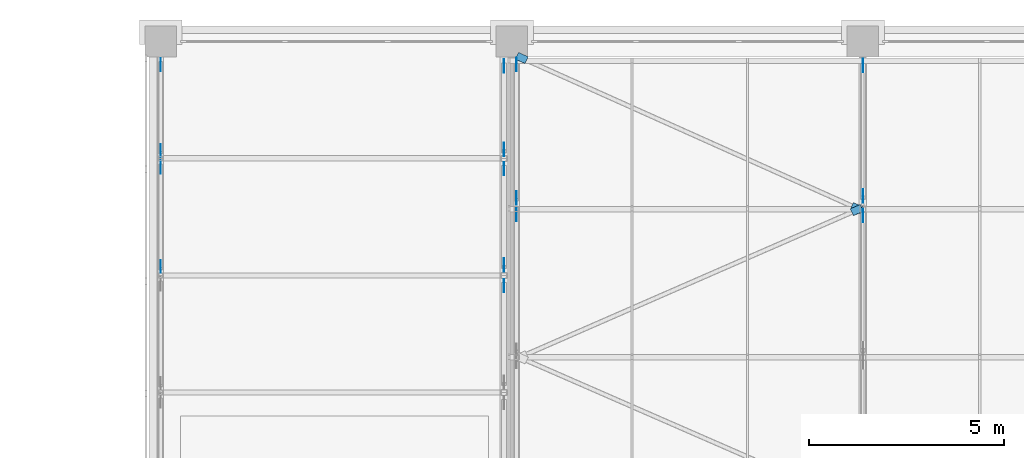
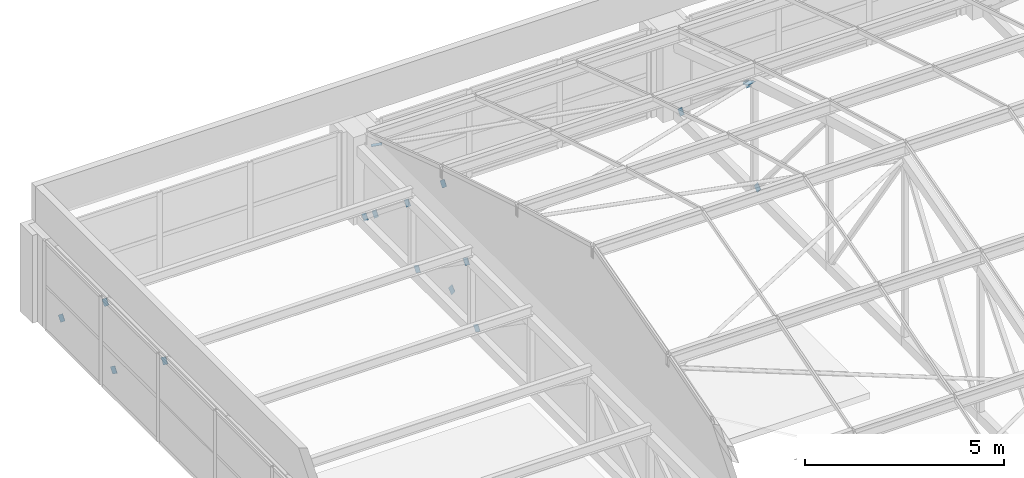
# One storey, part 66 of 82: 18 discrete accessories.
"""IFC4 building model written with IfcOpenShell, lengths in metres."""

from ifc_helpers import new_model, si_unit, direction, frame, origin, place, context, subcontext, project, spatial, polyline, outline, extrude, material, layer, layer_set, type_object, element, save


model = new_model("IFC4")

# Units and contexts
model_context = context("Model", 3, precision=1e-05, world=origin(), true_north=direction((0.0, 1.0)))
body_context = subcontext(model_context, "Body", "Model", "MODEL_VIEW")
ifc_project = project(units=[si_unit("LENGTHUNIT", "METRE"), si_unit("AREAUNIT", "SQUARE_METRE"), si_unit("VOLUMEUNIT", "CUBIC_METRE"), si_unit("PLANEANGLEUNIT", "RADIAN"), si_unit("MASSUNIT", "GRAM", prefix="KILO")], contexts=[model_context])

# Site, building, storey
site_placement = place(None, origin())
site = spatial("IfcSite", under=ifc_project, at=site_placement, CompositionType="ELEMENT")
building_placement = place(site_placement, origin())
building = spatial("IfcBuilding", under=site, at=building_placement, Name="Aravalli Gate Trade Fair Centre", CompositionType="ELEMENT")
storey_placement = place(building_placement, frame((0.0, 0.0, 19.199951171875)))
storey = spatial("IfcBuildingStorey", under=building, at=storey_placement, Name="L04", CompositionType="ELEMENT", Elevation=19.199951171875)

# Discrete accessories
ifc_material = material(Name="Steel E350", Category="steel")
ifc_layer = layer(ifc_material, 0.010009765625)
ifc_layer_set = layer_set([ifc_layer], Name="Steel E350")
discrete_accessory_type = type_object("IfcDiscreteAccessoryType", Name="Gusset plate 200 x 200 x 10", PredefinedType="USERDEFINED", material=ifc_layer_set)
discrete_accessory_1_placement = place(storey_placement, frame((5.9951171875, 127.27880859375, 1.9521484375), z_axis=(-1.0, 0.0, 0.0), x_axis=(0.0, -0.813085248779, 0.582144636854)))
element("IfcDiscreteAccessory", 1, at=discrete_accessory_1_placement, inside=storey, type_object=discrete_accessory_type, Name="Gusset plate Concourse truss CT3 line 01 diagonal D7 end A", ObjectType="GUSSET PLATE", PredefinedType="USERDEFINED", context=body_context, shape_type="SweptSolid", body=[
    extrude(outline(polyline([(0.0, 0.0), (0.28014676624251605, 0.0), (0.28011421362456884, 0.19999945494780752), (-3.255261794719855e-05, 0.1999994549478075), (0.0, 0.0)])), origin(), (0.0, 0.0, -1.0), 0.010009765625),
])
discrete_accessory_2_placement = place(storey_placement, frame((6.0048828125, 129.604736328125, 0.28515625), z_axis=(1.0, 0.0, 0.0), x_axis=(0.0, 0.813085248779, -0.582144636854)))
element("IfcDiscreteAccessory", 2, at=discrete_accessory_2_placement, inside=storey, type_object=discrete_accessory_type, Name="Gusset plate Concourse truss CT3 line 01 diagonal D7 end B", ObjectType="GUSSET PLATE", PredefinedType="USERDEFINED", context=body_context, shape_type="SweptSolid", body=[
    extrude(outline(polyline([(0.0, 0.0), (0.28014676624251605, 0.0), (0.2801793188604632, 0.1999994549478075), (3.255261794719855e-05, 0.1999994549478075), (0.0, 0.0)])), origin(), (0.0, 0.0, -1.0), 0.010009765625),
])
discrete_accessory_3_placement = place(storey_placement, frame((5.9951171875, 130.24169921875, 1.945556640625), z_axis=(-1.0, 0.0, 0.0), x_axis=(0.0, -0.770645272311, 0.637264359795)))
element("IfcDiscreteAccessory", 3, at=discrete_accessory_3_placement, inside=storey, type_object=discrete_accessory_type, Name="Gusset plate Concourse truss CT3 line 01 diagonal D8 end A", ObjectType="GUSSET PLATE", PredefinedType="USERDEFINED", context=body_context, shape_type="SweptSolid", body=[
    extrude(outline(polyline([(0.0, 0.0), (0.28005143255198706, 0.0), (0.2800116324750104, 0.19993387759793416), (-3.980007697668153e-05, 0.19993387759793418), (0.0, 0.0)])), origin(), (0.0, 0.0, -1.0), 0.010009765625),
])
discrete_accessory_4_placement = place(storey_placement, frame((6.0048828125, 132.23095703125, 0.300537109375), z_axis=(1.0, 0.0, 0.0), x_axis=(0.0, 0.770645272311, -0.637264359795)))
element("IfcDiscreteAccessory", 4, at=discrete_accessory_4_placement, inside=storey, type_object=discrete_accessory_type, Name="Gusset plate Concourse truss CT3 line 01 diagonal D8 end B", ObjectType="GUSSET PLATE", PredefinedType="USERDEFINED", context=body_context, shape_type="SweptSolid", body=[
    extrude(outline(polyline([(0.0, 0.0), (0.28005143255198706, 0.0), (0.28009123262896374, 0.19993387759793416), (3.980007697668153e-05, 0.19993387759793418), (0.0, 0.0)])), origin(), (0.0, 0.0, -1.0), 0.010009765625),
])
discrete_accessory_5_placement = place(storey_placement, frame((14.804931640625, 126.564453125, 0.332763671875), z_axis=(1.0, 0.0, 0.0), x_axis=(0.0, 0.819641356618, -0.572876990742)))
element("IfcDiscreteAccessory", 5, at=discrete_accessory_5_placement, inside=storey, type_object=discrete_accessory_type, Name="Gusset plate Concourse truss CT4 line 02F diagonal D6 end B", ObjectType="GUSSET PLATE", PredefinedType="USERDEFINED", context=body_context, shape_type="SweptSolid", body=[
    extrude(outline(polyline([(0.0, 0.0), (0.27999098099079506, 0.0), (0.28033371873809243, 0.1998075914508586), (0.00020287520072946597, 0.20000769920393907), (0.0, 0.0)])), origin(), (0.0, 0.0, -1.0), 0.010009765625),
])
discrete_accessory_6_placement = place(storey_placement, frame((14.794921875, 127.32080078125, 1.903564453125), z_axis=(-1.0, 0.0, 0.0), x_axis=(0.0, -0.819641356618, 0.572876990742)))
element("IfcDiscreteAccessory", 6, at=discrete_accessory_6_placement, inside=storey, type_object=discrete_accessory_type, Name="Gusset plate Concourse truss CT4 line 02F diagonal D7 end A", ObjectType="GUSSET PLATE", PredefinedType="USERDEFINED", context=body_context, shape_type="SweptSolid", body=[
    extrude(outline(polyline([(0.0, 0.0), (0.27999098099079506, 0.0), (0.2797881057900656, 0.20000769920393907), (-0.00034273774729741413, 0.19980759145085858), (0.0, 0.0)])), origin(), (0.0, 0.0, -1.0), 0.010009765625),
])
discrete_accessory_7_placement = place(storey_placement, frame((14.804931640625, 129.564453125, 0.332763671875), z_axis=(1.0, 0.0, 0.0), x_axis=(0.0, 0.819641356618, -0.572876990742)))
element("IfcDiscreteAccessory", 7, at=discrete_accessory_7_placement, inside=storey, type_object=discrete_accessory_type, Name="Gusset plate Concourse truss CT4 line 02F diagonal D7 end B", ObjectType="GUSSET PLATE", PredefinedType="USERDEFINED", context=body_context, shape_type="SweptSolid", body=[
    extrude(outline(polyline([(0.0, 0.0), (0.27999098099079506, 0.0), (0.28033371873809243, 0.1998075914508586), (0.00020287520072946597, 0.20000769920393907), (0.0, 0.0)])), origin(), (0.0, 0.0, -1.0), 0.010009765625),
])
discrete_accessory_8_placement = place(storey_placement, frame((14.794921875, 130.278564453125, 1.896484375), z_axis=(-1.0, 0.0, 0.0), x_axis=(0.0, -0.778055830294, 0.628195132858)))
element("IfcDiscreteAccessory", 8, at=discrete_accessory_8_placement, inside=storey, type_object=discrete_accessory_type, Name="Gusset plate Concourse truss CT4 line 02F diagonal D8 end A", ObjectType="GUSSET PLATE", PredefinedType="USERDEFINED", context=body_context, shape_type="SweptSolid", body=[
    extrude(outline(polyline([(0.0, 0.0), (0.2802081414166518, 0.0), (0.28007668317177364, 0.199985853837586), (0.00021186474417249357, 0.200022440921921), (0.0, 0.0)])), origin(), (0.0, 0.0, -1.0), 0.010009765625),
])
discrete_accessory_9_placement = place(storey_placement, frame((14.804931640625, 132.19580078125, 0.347900390625), z_axis=(1.0, 0.0, 0.0), x_axis=(0.0, 0.778055830294, -0.628195132858)))
element("IfcDiscreteAccessory", 9, at=discrete_accessory_9_placement, inside=storey, type_object=discrete_accessory_type, Name="Gusset plate Concourse truss CT4 line 02F diagonal D8 end B", ObjectType="GUSSET PLATE", PredefinedType="USERDEFINED", context=body_context, shape_type="SweptSolid", body=[
    extrude(outline(polyline([(0.0, 0.0), (0.2802081414166518, 0.0), (0.2799962766724793, 0.200022440921921), (-2.1909707479686458e-05, 0.20017580887427883), (0.0, 0.0)])), origin(), (0.0, 0.0, -1.0), 0.010009765625),
])
discrete_accessory_10_placement = place(storey_placement, frame((15.1298828125, 128.3916015625, 0.33984375), z_axis=(1.0, 0.0, 0.0), x_axis=(0.0, 0.639067373845, -0.769150760051)))
element("IfcDiscreteAccessory", 10, at=discrete_accessory_10_placement, inside=storey, type_object=discrete_accessory_type, Name="Gusset plate Concourse vault truss CT2 line 02 diagonal D5 end B", ObjectType="GUSSET PLATE", PredefinedType="USERDEFINED", context=body_context, shape_type="SweptSolid", body=[
    extrude(outline(polyline([(0.0, 0.0), (0.27964334405746344, 0.0), (0.27972796271361483, 0.1999016639045393), (-0.00010316229112665443, 0.2000576862126069), (0.0, 0.0)])), origin(), (0.0, 0.0, -1.0), 0.010009765625),
])
discrete_accessory_11_placement = place(storey_placement, frame((15.1201171875, 129.024169921875, 3.130859375), z_axis=(-1.0, 0.0, 0.0), x_axis=(0.0, -0.751387517828, 0.65986119605)))
element("IfcDiscreteAccessory", 11, at=discrete_accessory_11_placement, inside=storey, type_object=discrete_accessory_type, Name="Gusset plate Concourse vault truss CT2 line 02 diagonal D6 end A", ObjectType="GUSSET PLATE", PredefinedType="USERDEFINED", context=body_context, shape_type="SweptSolid", body=[
    extrude(outline(polyline([(0.0, 0.0), (0.28008080219175713, 0.0), (0.2802578620404331, 0.19999505782444854), (0.00017705984867599778, 0.19999505782444854), (0.0, 0.0)])), origin(), (0.0, 0.0, -1.0), 0.010009765625),
])
discrete_accessory_12_placement = place(storey_placement, frame((15.1298828125, 132.2412109375, 0.306884765625), z_axis=(1.0, 0.0, 0.0), x_axis=(0.0, 0.751766688996, -0.659429181426)))
element("IfcDiscreteAccessory", 12, at=discrete_accessory_12_placement, inside=storey, type_object=discrete_accessory_type, Name="Gusset plate Concourse vault truss CT2 line 02 diagonal D6 end B", ObjectType="GUSSET PLATE", PredefinedType="USERDEFINED", context=body_context, shape_type="SweptSolid", body=[
    extrude(outline(polyline([(0.0, 0.0), (0.2802642927106765, 0.0), (0.28020219219795656, 0.19999512656042612), (0.00028242972908229524, 0.19997258322361683), (0.0, 0.0)])), origin(), (0.0, 0.0, -1.0), 0.010009765625),
])
discrete_accessory_13_placement = place(storey_placement, frame((24.0048828125, 128.368896484375, 0.388916015625), z_axis=(1.0, 0.0, 0.0), x_axis=(0.0, 0.642926085547, -0.765928226744)))
element("IfcDiscreteAccessory", 13, at=discrete_accessory_13_placement, inside=storey, type_object=discrete_accessory_type, Name="Gusset plate Concourse vault truss CT1 line 03 diagonal D5 end B", ObjectType="GUSSET PLATE", PredefinedType="USERDEFINED", context=body_context, shape_type="SweptSolid", body=[
    extrude(outline(polyline([(0.0, 0.0), (0.2798636494456477, -2.7755575615628914e-17), (0.2797343721370357, 0.19996558721966756), (-0.00012927730861199416, 0.1999655872196676), (0.0, 0.0)])), origin(), (0.0, 0.0, -1.0), 0.010009765625),
])
discrete_accessory_14_placement = place(storey_placement, frame((23.9951171875, 129.080810546875, 3.060791015625), z_axis=(-1.0, 0.0, 0.0), x_axis=(0.0, -0.756666176812, 0.653801420057)))
element("IfcDiscreteAccessory", 14, at=discrete_accessory_14_placement, inside=storey, type_object=discrete_accessory_type, Name="Gusset plate Concourse vault truss CT1 line 03 diagonal D6 end A", ObjectType="GUSSET PLATE", PredefinedType="USERDEFINED", context=body_context, shape_type="SweptSolid", body=[
    extrude(outline(polyline([(0.0, 0.0), (0.28006281897354945, 0.0), (0.2800100381297428, 0.2000904762631978), (0.00013195210951666425, 0.19993085677587924), (0.0, 0.0)])), origin(), (0.0, 0.0, -1.0), 0.010009765625),
])
discrete_accessory_15_placement = place(storey_placement, frame((24.0048828125, 132.209716796875, 0.355224609375), z_axis=(1.0, 0.0, 0.0), x_axis=(0.0, 0.756666176812, -0.653801420057)))
element("IfcDiscreteAccessory", 15, at=discrete_accessory_15_placement, inside=storey, type_object=discrete_accessory_type, Name="Gusset plate Concourse vault truss CT1 line 03 diagonal D6 end B", ObjectType="GUSSET PLATE", PredefinedType="USERDEFINED", context=body_context, shape_type="SweptSolid", body=[
    extrude(outline(polyline([(0.0, 0.0), (0.28006281897354945, 0.0), (0.2802752193046747, 0.19990574330987443), (5.27808438066657e-05, 0.2000904762631978), (0.0, 0.0)])), origin(), (0.0, 0.0, -1.0), 0.010009765625),
])
discrete_accessory_16_placement = place(storey_placement, frame((23.759765625, 128.534912109375, 3.578857421875), z_axis=(0.002842004629, 0.289761045485, 0.957094801746), x_axis=(0.90962432947, 0.39685243835, -0.12284836756)))
element("IfcDiscreteAccessory", 16, at=discrete_accessory_16_placement, inside=storey, type_object=discrete_accessory_type, Name="Gusset plate Vault plan brace 2.5 end B", ObjectType="GUSSET PLATE", PredefinedType="USERDEFINED", context=body_context, shape_type="SweptSolid", body=[
    extrude(outline(polyline([(0.0, 0.0), (0.2799383923125683, -2.949029909160572e-17), (0.27983662074474586, 0.20018069408214503), (-0.0001986593701540076, 0.1999680608172754), (0.0, 0.0)])), origin(), (0.0, 0.0, -1.0), 0.010009765625),
])
discrete_accessory_17_placement = place(storey_placement, frame((15.33837890625, 132.4345703125, 2.324951171875), z_axis=(0.002919422204, 0.312898247745, 0.949782166358), x_axis=(-0.904776943156, 0.405319150836, -0.130748113173)))
element("IfcDiscreteAccessory", 17, at=discrete_accessory_17_placement, inside=storey, type_object=discrete_accessory_type, Name="Gusset plate Vault plan brace 2.6 end A", ObjectType="GUSSET PLATE", PredefinedType="USERDEFINED", context=body_context, shape_type="SweptSolid", body=[
    extrude(outline(polyline([(0.0, 0.0), (0.28008888894310163, 8.673617379884035e-18), (0.2800991036394433, -0.2000919724005901), (1.0214696341635104e-05, -0.20009197240059012), (0.0, 0.0)])), origin(), (0.0, 0.0, -1.0), 0.010009765625),
])
discrete_accessory_18_placement = place(storey_placement, frame((23.676513671875, 128.69580078125, 3.526611328125), z_axis=(-0.008396360851, 0.289699460706, 0.957080834408), x_axis=(0.904619724645, -0.405675640337, 0.130730366099)))
element("IfcDiscreteAccessory", 18, at=discrete_accessory_18_placement, inside=storey, type_object=discrete_accessory_type, Name="Gusset plate Vault plan brace 2.6 end B", ObjectType="GUSSET PLATE", PredefinedType="USERDEFINED", context=body_context, shape_type="SweptSolid", body=[
    extrude(outline(polyline([(0.0, 0.0), (0.279868013214945, 1.0408340855860843e-17), (0.27986013764088485, 0.19996368823296573), (-0.00010691747843940592, 0.20017533175352553), (0.0, 0.0)])), origin(), (0.0, 0.0, -1.0), 0.010009765625),
])

save(model, "model.ifc")
